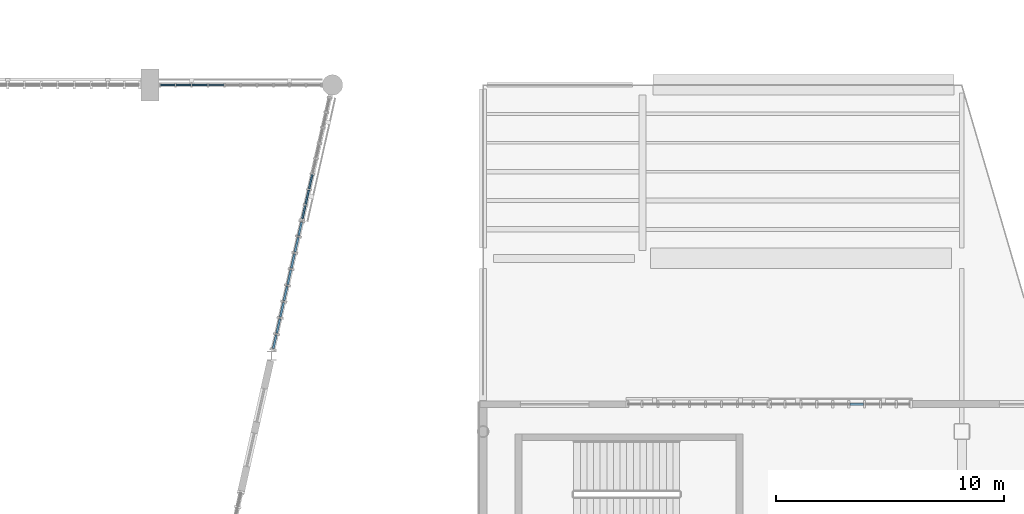
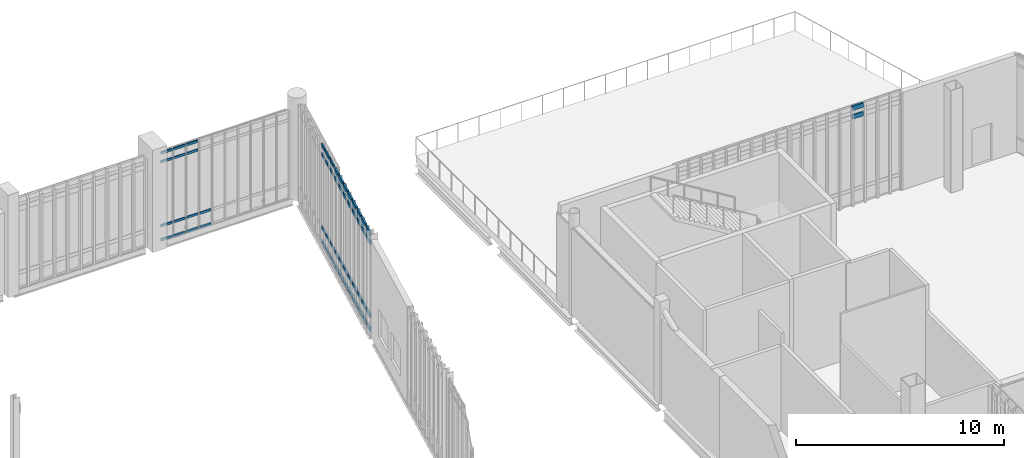
# One storey, part 59 of 135: 60 members, 4 elements without a shape of their own.
"""IFC4 building model written with IfcOpenShell, lengths in metres."""

from ifc_helpers import new_model, si_unit, direction, frame, origin, origin_2d, place, context, subcontext, project, spatial, rectangle, extrude, material, material_profile, profile_set, type_object, element, aggregate, save


model = new_model("IFC4")

# Units and contexts
model_context = context("Model", 3, precision=1e-05, world=origin(), true_north=direction((0.0, 1.0)))
body_context = subcontext(model_context, "Body", "Model", "MODEL_VIEW")
ifc_project = project(units=[si_unit("LENGTHUNIT", "METRE"), si_unit("AREAUNIT", "SQUARE_METRE"), si_unit("VOLUMEUNIT", "CUBIC_METRE"), si_unit("PLANEANGLEUNIT", "RADIAN"), si_unit("MASSUNIT", "GRAM", prefix="KILO")], contexts=[model_context])

# Site, building, storey
site_placement = place(None, origin())
site = spatial("IfcSite", under=ifc_project, at=site_placement, CompositionType="ELEMENT")
building_placement = place(site_placement, origin())
building = spatial("IfcBuilding", under=site, at=building_placement, Name="Larkvane Passage Sports Hall", CompositionType="ELEMENT")
storey_placement = place(building_placement, frame((0.0, 0.0, 10.800048828125)))
storey = spatial("IfcBuildingStorey", under=building, at=storey_placement, Name="L02", CompositionType="ELEMENT", Elevation=10.800048828125)

# Curtain wall, members
ifc_material_1 = material(Name="Thermally broken aluminium and low-E glazing", Category="aluminium")
curtain_wall_type_1 = type_object("IfcCurtainWallType", Name="CW-CLINIC", PredefinedType="USERDEFINED", material=ifc_material_1)
curtain_wall_1_placement = place(storey_placement, origin())
curtain_wall_1 = element("IfcCurtainWall", 1, at=curtain_wall_1_placement, inside=storey, type_object=curtain_wall_type_1, Name="Curtain wall CW5-L02-067", ObjectType="UNITISED CURTAIN WALL", PredefinedType="USERDEFINED")
ifc_material_2 = material(Name="Anodised aluminium 6063-T6", Category="aluminium")
ifc_material_profile_1 = material_profile(ifc_material_2, rectangle(XDim=0.10009765625, YDim=0.260009765625, at=origin_2d()), Name="ALU-TRN-100x260")
ifc_profile_set_1 = profile_set([ifc_material_profile_1], Name="Anodised aluminium 6063-T6")
member_type_1 = type_object("IfcMemberType", Name="CW-TRN-100x260", PredefinedType="USERDEFINED", material=ifc_profile_set_1)
member_1_placement = place(storey_placement, frame((140.68603515625, 85.199951171875, 5.14990234375), z_axis=(1.0, 0.0, 0.0), x_axis=(0.0, 1.0, 0.0)))
member_1 = element("IfcMember", 2, at=member_1_placement, type_object=member_type_1, Name="CW-05 transom 6.3", ObjectType="TRANSOM", PredefinedType="USERDEFINED", context=body_context, shape_type="SweptSolid", body=[
    extrude(rectangle(XDim=0.10009765625, YDim=0.260009765625, at=origin_2d()), origin(), (0.0, 0.0, 1.0), 0.597412109375),
])
member_2_placement = place(storey_placement, frame((140.68603515625, 85.199951171875, 5.64990234375), z_axis=(1.0, 0.0, 0.0), x_axis=(0.0, 1.0, 0.0)))
member_2 = element("IfcMember", 3, at=member_2_placement, type_object=member_type_1, Name="CW-05 transom 6.4", ObjectType="TRANSOM", PredefinedType="USERDEFINED", context=body_context, shape_type="SweptSolid", body=[
    extrude(rectangle(XDim=0.10009765625, YDim=0.260009765625, at=origin_2d()), origin(), (0.0, 0.0, 1.0), 0.597412109375),
])
aggregate(curtain_wall_1, [member_1, member_2])

curtain_wall_type_2 = type_object("IfcCurtainWallType", Name="CW-UNIT-COURT", PredefinedType="USERDEFINED", material=ifc_material_1)
curtain_wall_2_placement = place(storey_placement, origin())
curtain_wall_2 = element("IfcCurtainWall", 4, at=curtain_wall_2_placement, inside=storey, type_object=curtain_wall_type_2, Name="Curtain wall CW5-L02-080", ObjectType="UNITISED CURTAIN WALL", PredefinedType="USERDEFINED")
ifc_material_profile_2 = material_profile(ifc_material_2, rectangle(XDim=0.06494140625, YDim=0.139892578125, at=origin_2d()), Name="ALU-TRN-65x140")
ifc_profile_set_2 = profile_set([ifc_material_profile_2], Name="Anodised aluminium 6063-T6")
member_type_2 = type_object("IfcMemberType", Name="CW-TRN-65x140", PredefinedType="USERDEFINED", material=ifc_profile_set_2)
member_3_placement = place(storey_placement, frame((110.4609375, 99.199951171875, 0.032470703125), z_axis=(1.0, 0.0, 0.0), x_axis=(0.0, 1.0, 0.0)))
member_3 = element("IfcMember", 5, at=member_3_placement, type_object=member_type_2, Name="CW-01 transom 1.1", ObjectType="TRANSOM", PredefinedType="USERDEFINED", context=body_context, shape_type="SweptSolid", body=[
    extrude(rectangle(XDim=0.06494140625, YDim=0.139892578125, at=origin_2d()), origin(), (0.0, 0.0, 1.0), 0.618408203125),
])
member_4_placement = place(storey_placement, frame((110.4609375, 99.199951171875, 0.849853515625), z_axis=(1.0, 0.0, 0.0), x_axis=(0.0, 1.0, 0.0)))
member_4 = element("IfcMember", 6, at=member_4_placement, type_object=member_type_2, Name="CW-01 transom 1.2", ObjectType="TRANSOM", PredefinedType="USERDEFINED", context=body_context, shape_type="SweptSolid", body=[
    extrude(rectangle(XDim=0.06494140625, YDim=0.139892578125, at=origin_2d()), origin(), (0.0, 0.0, 1.0), 0.618408203125),
])
member_5_placement = place(storey_placement, frame((110.4609375, 99.199951171875, 4.597900390625), z_axis=(1.0, 0.0, 0.0), x_axis=(0.0, 1.0, 0.0)))
member_5 = element("IfcMember", 7, at=member_5_placement, type_object=member_type_2, Name="CW-01 transom 1.3", ObjectType="TRANSOM", PredefinedType="USERDEFINED", context=body_context, shape_type="SweptSolid", body=[
    extrude(rectangle(XDim=0.06494140625, YDim=0.139892578125, at=origin_2d()), origin(), (0.0, 0.0, 1.0), 0.618408203125),
])
member_6_placement = place(storey_placement, frame((110.4609375, 99.199951171875, 5.115478515625), z_axis=(1.0, 0.0, 0.0), x_axis=(0.0, 1.0, 0.0)))
member_6 = element("IfcMember", 8, at=member_6_placement, type_object=member_type_2, Name="CW-01 transom 1.4", ObjectType="TRANSOM", PredefinedType="USERDEFINED", context=body_context, shape_type="SweptSolid", body=[
    extrude(rectangle(XDim=0.06494140625, YDim=0.139892578125, at=origin_2d()), origin(), (0.0, 0.0, 1.0), 0.618408203125),
])
member_7_placement = place(storey_placement, frame((111.144287109375, 99.199951171875, 0.032470703125), z_axis=(1.0, 0.0, 0.0), x_axis=(0.0, 1.0, 0.0)))
member_7 = element("IfcMember", 9, at=member_7_placement, type_object=member_type_2, Name="CW-01 transom 2.1", ObjectType="TRANSOM", PredefinedType="USERDEFINED", context=body_context, shape_type="SweptSolid", body=[
    extrude(rectangle(XDim=0.06494140625, YDim=0.139892578125, at=origin_2d()), origin(), (0.0, 0.0, 1.0), 0.65087890625),
])
member_8_placement = place(storey_placement, frame((111.144287109375, 99.199951171875, 0.849853515625), z_axis=(1.0, 0.0, 0.0), x_axis=(0.0, 1.0, 0.0)))
member_8 = element("IfcMember", 10, at=member_8_placement, type_object=member_type_2, Name="CW-01 transom 2.2", ObjectType="TRANSOM", PredefinedType="USERDEFINED", context=body_context, shape_type="SweptSolid", body=[
    extrude(rectangle(XDim=0.06494140625, YDim=0.139892578125, at=origin_2d()), origin(), (0.0, 0.0, 1.0), 0.65087890625),
])
member_9_placement = place(storey_placement, frame((111.144287109375, 99.199951171875, 4.597900390625), z_axis=(1.0, 0.0, 0.0), x_axis=(0.0, 1.0, 0.0)))
member_9 = element("IfcMember", 11, at=member_9_placement, type_object=member_type_2, Name="CW-01 transom 2.3", ObjectType="TRANSOM", PredefinedType="USERDEFINED", context=body_context, shape_type="SweptSolid", body=[
    extrude(rectangle(XDim=0.06494140625, YDim=0.139892578125, at=origin_2d()), origin(), (0.0, 0.0, 1.0), 0.65087890625),
])
member_10_placement = place(storey_placement, frame((111.144287109375, 99.199951171875, 5.115478515625), z_axis=(1.0, 0.0, 0.0), x_axis=(0.0, 1.0, 0.0)))
member_10 = element("IfcMember", 12, at=member_10_placement, type_object=member_type_2, Name="CW-01 transom 2.4", ObjectType="TRANSOM", PredefinedType="USERDEFINED", context=body_context, shape_type="SweptSolid", body=[
    extrude(rectangle(XDim=0.06494140625, YDim=0.139892578125, at=origin_2d()), origin(), (0.0, 0.0, 1.0), 0.65087890625),
])
member_11_placement = place(storey_placement, frame((111.860107421875, 99.199951171875, 0.032470703125), z_axis=(1.0, 0.0, 0.0), x_axis=(0.0, 1.0, 0.0)))
member_11 = element("IfcMember", 13, at=member_11_placement, type_object=member_type_2, Name="CW-01 transom 3.1", ObjectType="TRANSOM", PredefinedType="USERDEFINED", context=body_context, shape_type="SweptSolid", body=[
    extrude(rectangle(XDim=0.06494140625, YDim=0.139892578125, at=origin_2d()), origin(), (0.0, 0.0, 1.0), 0.65087890625),
])
member_12_placement = place(storey_placement, frame((111.860107421875, 99.199951171875, 0.849853515625), z_axis=(1.0, 0.0, 0.0), x_axis=(0.0, 1.0, 0.0)))
member_12 = element("IfcMember", 14, at=member_12_placement, type_object=member_type_2, Name="CW-01 transom 3.2", ObjectType="TRANSOM", PredefinedType="USERDEFINED", context=body_context, shape_type="SweptSolid", body=[
    extrude(rectangle(XDim=0.06494140625, YDim=0.139892578125, at=origin_2d()), origin(), (0.0, 0.0, 1.0), 0.65087890625),
])
member_13_placement = place(storey_placement, frame((111.860107421875, 99.199951171875, 4.597900390625), z_axis=(1.0, 0.0, 0.0), x_axis=(0.0, 1.0, 0.0)))
member_13 = element("IfcMember", 15, at=member_13_placement, type_object=member_type_2, Name="CW-01 transom 3.3", ObjectType="TRANSOM", PredefinedType="USERDEFINED", context=body_context, shape_type="SweptSolid", body=[
    extrude(rectangle(XDim=0.06494140625, YDim=0.139892578125, at=origin_2d()), origin(), (0.0, 0.0, 1.0), 0.65087890625),
])
member_14_placement = place(storey_placement, frame((111.860107421875, 99.199951171875, 5.115478515625), z_axis=(1.0, 0.0, 0.0), x_axis=(0.0, 1.0, 0.0)))
member_14 = element("IfcMember", 16, at=member_14_placement, type_object=member_type_2, Name="CW-01 transom 3.4", ObjectType="TRANSOM", PredefinedType="USERDEFINED", context=body_context, shape_type="SweptSolid", body=[
    extrude(rectangle(XDim=0.06494140625, YDim=0.139892578125, at=origin_2d()), origin(), (0.0, 0.0, 1.0), 0.65087890625),
])
member_15_placement = place(storey_placement, frame((112.575927734375, 99.199951171875, 0.032470703125), z_axis=(1.0, 0.0, 0.0), x_axis=(0.0, 1.0, 0.0)))
member_15 = element("IfcMember", 17, at=member_15_placement, type_object=member_type_2, Name="CW-01 transom 4.1", ObjectType="TRANSOM", PredefinedType="USERDEFINED", context=body_context, shape_type="SweptSolid", body=[
    extrude(rectangle(XDim=0.06494140625, YDim=0.139892578125, at=origin_2d()), origin(), (0.0, 0.0, 1.0), 0.65087890625),
])
member_16_placement = place(storey_placement, frame((112.575927734375, 99.199951171875, 0.849853515625), z_axis=(1.0, 0.0, 0.0), x_axis=(0.0, 1.0, 0.0)))
member_16 = element("IfcMember", 18, at=member_16_placement, type_object=member_type_2, Name="CW-01 transom 4.2", ObjectType="TRANSOM", PredefinedType="USERDEFINED", context=body_context, shape_type="SweptSolid", body=[
    extrude(rectangle(XDim=0.06494140625, YDim=0.139892578125, at=origin_2d()), origin(), (0.0, 0.0, 1.0), 0.65087890625),
])
aggregate(curtain_wall_2, [member_3, member_4, member_5, member_6, member_7, member_8, member_9, member_10, member_11, member_12, member_13, member_14, member_15, member_16])

curtain_wall_type_3 = type_object("IfcCurtainWallType", Name="CW-UNIT-VEIL", PredefinedType="USERDEFINED", material=ifc_material_1)
curtain_wall_3_placement = place(storey_placement, origin())
curtain_wall_3 = element("IfcCurtainWall", 19, at=curtain_wall_3_placement, inside=storey, type_object=curtain_wall_type_3, Name="Curtain wall CW5-L02-081", ObjectType="UNITISED CURTAIN WALL", PredefinedType="USERDEFINED")
ifc_material_profile_3 = material_profile(ifc_material_2, rectangle(XDim=0.074951171875, YDim=0.18505859375, at=origin_2d()), Name="ALU-TRN-75x185")
ifc_profile_set_3 = profile_set([ifc_material_profile_3], Name="Anodised aluminium 6063-T6")
member_type_3 = type_object("IfcMemberType", Name="CW-TRN-75x185", PredefinedType="USERDEFINED", material=ifc_profile_set_3)
member_17_placement = place(storey_placement, frame((117.1142578125, 95.258544921875, 0.037353515625), z_axis=(-0.219437063767, -0.975626657613, 0.0), x_axis=(0.975626657613, -0.219437063767, 0.0)))
member_17 = element("IfcMember", 20, at=member_17_placement, type_object=member_type_3, Name="CW-02 transom 6.1", ObjectType="TRANSOM", PredefinedType="USERDEFINED", context=body_context, shape_type="SweptSolid", body=[
    extrude(rectangle(XDim=0.074951171875, YDim=0.18505859375, at=origin_2d()), origin(), (0.0, 0.0, 1.0), 0.61865234375),
])
member_18_placement = place(storey_placement, frame((117.1142578125, 95.258544921875, 0.849853515625), z_axis=(-0.219437063767, -0.975626657613, 0.0), x_axis=(0.975626657613, -0.219437063767, 0.0)))
member_18 = element("IfcMember", 21, at=member_18_placement, type_object=member_type_3, Name="CW-02 transom 6.2", ObjectType="TRANSOM", PredefinedType="USERDEFINED", context=body_context, shape_type="SweptSolid", body=[
    extrude(rectangle(XDim=0.074951171875, YDim=0.18505859375, at=origin_2d()), origin(), (0.0, 0.0, 1.0), 0.61865234375),
])
member_19_placement = place(storey_placement, frame((117.1142578125, 95.258544921875, 5.14990234375), z_axis=(-0.219437063767, -0.975626657613, 0.0), x_axis=(0.975626657613, -0.219437063767, 0.0)))
member_19 = element("IfcMember", 22, at=member_19_placement, type_object=member_type_3, Name="CW-02 transom 6.3", ObjectType="TRANSOM", PredefinedType="USERDEFINED", context=body_context, shape_type="SweptSolid", body=[
    extrude(rectangle(XDim=0.074951171875, YDim=0.18505859375, at=origin_2d()), origin(), (0.0, 0.0, 1.0), 0.61865234375),
])
member_20_placement = place(storey_placement, frame((117.1142578125, 95.258544921875, 5.662353515625), z_axis=(-0.219437063767, -0.975626657613, 0.0), x_axis=(0.975626657613, -0.219437063767, 0.0)))
member_20 = element("IfcMember", 23, at=member_20_placement, type_object=member_type_3, Name="CW-02 transom 6.4", ObjectType="TRANSOM", PredefinedType="USERDEFINED", context=body_context, shape_type="SweptSolid", body=[
    extrude(rectangle(XDim=0.074951171875, YDim=0.18505859375, at=origin_2d()), origin(), (0.0, 0.0, 1.0), 0.61865234375),
])
member_21_placement = place(storey_placement, frame((116.962158203125, 94.581787109375, 0.037353515625), z_axis=(-0.219352600891, -0.975645651086, 0.0), x_axis=(0.975645651086, -0.219352600891, 0.0)))
member_21 = element("IfcMember", 24, at=member_21_placement, type_object=member_type_3, Name="CW-02 transom 7.1", ObjectType="TRANSOM", PredefinedType="USERDEFINED", context=body_context, shape_type="SweptSolid", body=[
    extrude(rectangle(XDim=0.074951171875, YDim=0.18505859375, at=origin_2d()), origin(), (0.0, 0.0, 1.0), 0.618896484375),
])
member_22_placement = place(storey_placement, frame((116.962158203125, 94.581787109375, 0.849853515625), z_axis=(-0.219352600891, -0.975645651086, 0.0), x_axis=(0.975645651086, -0.219352600891, 0.0)))
member_22 = element("IfcMember", 25, at=member_22_placement, type_object=member_type_3, Name="CW-02 transom 7.2", ObjectType="TRANSOM", PredefinedType="USERDEFINED", context=body_context, shape_type="SweptSolid", body=[
    extrude(rectangle(XDim=0.074951171875, YDim=0.18505859375, at=origin_2d()), origin(), (0.0, 0.0, 1.0), 0.618896484375),
])
member_23_placement = place(storey_placement, frame((116.962158203125, 94.581787109375, 5.14990234375), z_axis=(-0.219352600891, -0.975645651086, 0.0), x_axis=(0.975645651086, -0.219352600891, 0.0)))
member_23 = element("IfcMember", 26, at=member_23_placement, type_object=member_type_3, Name="CW-02 transom 7.3", ObjectType="TRANSOM", PredefinedType="USERDEFINED", context=body_context, shape_type="SweptSolid", body=[
    extrude(rectangle(XDim=0.074951171875, YDim=0.18505859375, at=origin_2d()), origin(), (0.0, 0.0, 1.0), 0.618896484375),
])
member_24_placement = place(storey_placement, frame((116.962158203125, 94.581787109375, 5.662353515625), z_axis=(-0.219352600891, -0.975645651086, 0.0), x_axis=(0.975645651086, -0.219352600891, 0.0)))
member_24 = element("IfcMember", 27, at=member_24_placement, type_object=member_type_3, Name="CW-02 transom 7.4", ObjectType="TRANSOM", PredefinedType="USERDEFINED", context=body_context, shape_type="SweptSolid", body=[
    extrude(rectangle(XDim=0.074951171875, YDim=0.18505859375, at=origin_2d()), origin(), (0.0, 0.0, 1.0), 0.618896484375),
])
member_25_placement = place(storey_placement, frame((116.81005859375, 93.905029296875, 0.037353515625), z_axis=(-0.219242344459, -0.97567043329, 0.0), x_axis=(0.97567043329, -0.219242344459, 0.0)))
member_25 = element("IfcMember", 28, at=member_25_placement, type_object=member_type_3, Name="CW-02 transom 8.1", ObjectType="TRANSOM", PredefinedType="USERDEFINED", context=body_context, shape_type="SweptSolid", body=[
    extrude(rectangle(XDim=0.074951171875, YDim=0.18505859375, at=origin_2d()), origin(), (0.0, 0.0, 1.0), 0.581298828125),
])
member_26_placement = place(storey_placement, frame((116.81005859375, 93.905029296875, 0.849853515625), z_axis=(-0.219242344459, -0.97567043329, 0.0), x_axis=(0.97567043329, -0.219242344459, 0.0)))
member_26 = element("IfcMember", 29, at=member_26_placement, type_object=member_type_3, Name="CW-02 transom 8.2", ObjectType="TRANSOM", PredefinedType="USERDEFINED", context=body_context, shape_type="SweptSolid", body=[
    extrude(rectangle(XDim=0.074951171875, YDim=0.18505859375, at=origin_2d()), origin(), (0.0, 0.0, 1.0), 0.581298828125),
])
member_27_placement = place(storey_placement, frame((116.81005859375, 93.905029296875, 5.14990234375), z_axis=(-0.219242344459, -0.97567043329, 0.0), x_axis=(0.97567043329, -0.219242344459, 0.0)))
member_27 = element("IfcMember", 30, at=member_27_placement, type_object=member_type_3, Name="CW-02 transom 8.3", ObjectType="TRANSOM", PredefinedType="USERDEFINED", context=body_context, shape_type="SweptSolid", body=[
    extrude(rectangle(XDim=0.074951171875, YDim=0.18505859375, at=origin_2d()), origin(), (0.0, 0.0, 1.0), 0.581298828125),
])
member_28_placement = place(storey_placement, frame((116.81005859375, 93.905029296875, 5.662353515625), z_axis=(-0.219242344459, -0.97567043329, 0.0), x_axis=(0.97567043329, -0.219242344459, 0.0)))
member_28 = element("IfcMember", 31, at=member_28_placement, type_object=member_type_3, Name="CW-02 transom 8.4", ObjectType="TRANSOM", PredefinedType="USERDEFINED", context=body_context, shape_type="SweptSolid", body=[
    extrude(rectangle(XDim=0.074951171875, YDim=0.18505859375, at=origin_2d()), origin(), (0.0, 0.0, 1.0), 0.581298828125),
])
aggregate(curtain_wall_3, [member_17, member_18, member_19, member_20, member_21, member_22, member_23, member_24, member_25, member_26, member_27, member_28])

curtain_wall_type_4 = type_object("IfcCurtainWallType", Name="CW-STICK-FOYER", PredefinedType="USERDEFINED", material=ifc_material_1)
curtain_wall_4_placement = place(storey_placement, origin())
curtain_wall_4 = element("IfcCurtainWall", 32, at=curtain_wall_4_placement, inside=storey, type_object=curtain_wall_type_4, Name="Curtain wall CW5-L02-082", ObjectType="STICK CURTAIN WALL", PredefinedType="USERDEFINED")
ifc_material_profile_4 = material_profile(ifc_material_2, rectangle(XDim=0.090087890625, YDim=0.235107421875, at=origin_2d()), Name="ALU-TRN-90x235")
ifc_profile_set_4 = profile_set([ifc_material_profile_4], Name="Anodised aluminium 6063-T6")
member_type_4 = type_object("IfcMemberType", Name="CW-TRN-90x235", PredefinedType="USERDEFINED", material=ifc_profile_set_4)
member_29_placement = place(storey_placement, frame((116.646484375, 93.177001953125, 0.044921875), z_axis=(-0.219141799483, -0.975693021252, 0.0), x_axis=(0.975693021252, -0.219141799483, 0.0)))
member_29 = element("IfcMember", 33, at=member_29_placement, type_object=member_type_4, Name="CW-03 transom 1.1", ObjectType="TRANSOM", PredefinedType="USERDEFINED", context=body_context, shape_type="SweptSolid", body=[
    extrude(rectangle(XDim=0.090087890625, YDim=0.235107421875, at=origin_2d()), origin(), (0.0, 0.0, 1.0), 0.595947265625),
])
member_30_placement = place(storey_placement, frame((116.646484375, 93.177001953125, 0.849853515625), z_axis=(-0.219141799483, -0.975693021252, 0.0), x_axis=(0.975693021252, -0.219141799483, 0.0)))
member_30 = element("IfcMember", 34, at=member_30_placement, type_object=member_type_4, Name="CW-03 transom 1.2", ObjectType="TRANSOM", PredefinedType="USERDEFINED", context=body_context, shape_type="SweptSolid", body=[
    extrude(rectangle(XDim=0.090087890625, YDim=0.235107421875, at=origin_2d()), origin(), (0.0, 0.0, 1.0), 0.595947265625),
])
member_31_placement = place(storey_placement, frame((116.646484375, 93.177001953125, 5.14990234375), z_axis=(-0.219141799483, -0.975693021252, 0.0), x_axis=(0.975693021252, -0.219141799483, 0.0)))
member_31 = element("IfcMember", 35, at=member_31_placement, type_object=member_type_4, Name="CW-03 transom 1.3", ObjectType="TRANSOM", PredefinedType="USERDEFINED", context=body_context, shape_type="SweptSolid", body=[
    extrude(rectangle(XDim=0.090087890625, YDim=0.235107421875, at=origin_2d()), origin(), (0.0, 0.0, 1.0), 0.595947265625),
])
member_32_placement = place(storey_placement, frame((116.646484375, 93.177001953125, 5.655029296875), z_axis=(-0.219141799483, -0.975693021252, 0.0), x_axis=(0.975693021252, -0.219141799483, 0.0)))
member_32 = element("IfcMember", 36, at=member_32_placement, type_object=member_type_4, Name="CW-03 transom 1.4", ObjectType="TRANSOM", PredefinedType="USERDEFINED", context=body_context, shape_type="SweptSolid", body=[
    extrude(rectangle(XDim=0.090087890625, YDim=0.235107421875, at=origin_2d()), origin(), (0.0, 0.0, 1.0), 0.595947265625),
])
member_33_placement = place(storey_placement, frame((116.49609375, 92.507568359375, 0.044921875), z_axis=(-0.21934908298, -0.975646442004, 0.0), x_axis=(0.975646442004, -0.21934908298, 0.0)))
member_33 = element("IfcMember", 37, at=member_33_placement, type_object=member_type_4, Name="CW-03 transom 2.1", ObjectType="TRANSOM", PredefinedType="USERDEFINED", context=body_context, shape_type="SweptSolid", body=[
    extrude(rectangle(XDim=0.090087890625, YDim=0.235107421875, at=origin_2d()), origin(), (0.0, 0.0, 1.0), 0.64111328125),
])
member_34_placement = place(storey_placement, frame((116.49609375, 92.507568359375, 0.849853515625), z_axis=(-0.21934908298, -0.975646442004, 0.0), x_axis=(0.975646442004, -0.21934908298, 0.0)))
member_34 = element("IfcMember", 38, at=member_34_placement, type_object=member_type_4, Name="CW-03 transom 2.2", ObjectType="TRANSOM", PredefinedType="USERDEFINED", context=body_context, shape_type="SweptSolid", body=[
    extrude(rectangle(XDim=0.090087890625, YDim=0.235107421875, at=origin_2d()), origin(), (0.0, 0.0, 1.0), 0.64111328125),
])
member_35_placement = place(storey_placement, frame((116.49609375, 92.507568359375, 5.14990234375), z_axis=(-0.21934908298, -0.975646442004, 0.0), x_axis=(0.975646442004, -0.21934908298, 0.0)))
member_35 = element("IfcMember", 39, at=member_35_placement, type_object=member_type_4, Name="CW-03 transom 2.3", ObjectType="TRANSOM", PredefinedType="USERDEFINED", context=body_context, shape_type="SweptSolid", body=[
    extrude(rectangle(XDim=0.090087890625, YDim=0.235107421875, at=origin_2d()), origin(), (0.0, 0.0, 1.0), 0.64111328125),
])
member_36_placement = place(storey_placement, frame((116.49609375, 92.507568359375, 5.655029296875), z_axis=(-0.21934908298, -0.975646442004, 0.0), x_axis=(0.975646442004, -0.21934908298, 0.0)))
member_36 = element("IfcMember", 40, at=member_36_placement, type_object=member_type_4, Name="CW-03 transom 2.4", ObjectType="TRANSOM", PredefinedType="USERDEFINED", context=body_context, shape_type="SweptSolid", body=[
    extrude(rectangle(XDim=0.090087890625, YDim=0.235107421875, at=origin_2d()), origin(), (0.0, 0.0, 1.0), 0.64111328125),
])
member_37_placement = place(storey_placement, frame((116.335693359375, 91.794189453125, 0.044921875), z_axis=(-0.219067951087, -0.975709604753, 0.0), x_axis=(0.975709604753, -0.219067951087, 0.0)))
member_37 = element("IfcMember", 41, at=member_37_placement, type_object=member_type_4, Name="CW-03 transom 3.1", ObjectType="TRANSOM", PredefinedType="USERDEFINED", context=body_context, shape_type="SweptSolid", body=[
    extrude(rectangle(XDim=0.090087890625, YDim=0.235107421875, at=origin_2d()), origin(), (0.0, 0.0, 1.0), 0.640869140625),
])
member_38_placement = place(storey_placement, frame((116.335693359375, 91.794189453125, 0.849853515625), z_axis=(-0.219067951087, -0.975709604753, 0.0), x_axis=(0.975709604753, -0.219067951087, 0.0)))
member_38 = element("IfcMember", 42, at=member_38_placement, type_object=member_type_4, Name="CW-03 transom 3.2", ObjectType="TRANSOM", PredefinedType="USERDEFINED", context=body_context, shape_type="SweptSolid", body=[
    extrude(rectangle(XDim=0.090087890625, YDim=0.235107421875, at=origin_2d()), origin(), (0.0, 0.0, 1.0), 0.640869140625),
])
member_39_placement = place(storey_placement, frame((116.335693359375, 91.794189453125, 5.14990234375), z_axis=(-0.219067951087, -0.975709604753, 0.0), x_axis=(0.975709604753, -0.219067951087, 0.0)))
member_39 = element("IfcMember", 43, at=member_39_placement, type_object=member_type_4, Name="CW-03 transom 3.3", ObjectType="TRANSOM", PredefinedType="USERDEFINED", context=body_context, shape_type="SweptSolid", body=[
    extrude(rectangle(XDim=0.090087890625, YDim=0.235107421875, at=origin_2d()), origin(), (0.0, 0.0, 1.0), 0.640869140625),
])
member_40_placement = place(storey_placement, frame((116.335693359375, 91.794189453125, 5.655029296875), z_axis=(-0.219067951087, -0.975709604753, 0.0), x_axis=(0.975709604753, -0.219067951087, 0.0)))
member_40 = element("IfcMember", 44, at=member_40_placement, type_object=member_type_4, Name="CW-03 transom 3.4", ObjectType="TRANSOM", PredefinedType="USERDEFINED", context=body_context, shape_type="SweptSolid", body=[
    extrude(rectangle(XDim=0.090087890625, YDim=0.235107421875, at=origin_2d()), origin(), (0.0, 0.0, 1.0), 0.640869140625),
])
member_41_placement = place(storey_placement, frame((116.175537109375, 91.0810546875, 0.044921875), z_axis=(-0.21934908298, -0.975646442004, 0.0), x_axis=(0.975646442004, -0.21934908298, 0.0)))
member_41 = element("IfcMember", 45, at=member_41_placement, type_object=member_type_4, Name="CW-03 transom 4.1", ObjectType="TRANSOM", PredefinedType="USERDEFINED", context=body_context, shape_type="SweptSolid", body=[
    extrude(rectangle(XDim=0.090087890625, YDim=0.235107421875, at=origin_2d()), origin(), (0.0, 0.0, 1.0), 0.64111328125),
])
member_42_placement = place(storey_placement, frame((116.175537109375, 91.0810546875, 0.849853515625), z_axis=(-0.21934908298, -0.975646442004, 0.0), x_axis=(0.975646442004, -0.21934908298, 0.0)))
member_42 = element("IfcMember", 46, at=member_42_placement, type_object=member_type_4, Name="CW-03 transom 4.2", ObjectType="TRANSOM", PredefinedType="USERDEFINED", context=body_context, shape_type="SweptSolid", body=[
    extrude(rectangle(XDim=0.090087890625, YDim=0.235107421875, at=origin_2d()), origin(), (0.0, 0.0, 1.0), 0.64111328125),
])
member_43_placement = place(storey_placement, frame((116.175537109375, 91.0810546875, 5.14990234375), z_axis=(-0.21934908298, -0.975646442004, 0.0), x_axis=(0.975646442004, -0.21934908298, 0.0)))
member_43 = element("IfcMember", 47, at=member_43_placement, type_object=member_type_4, Name="CW-03 transom 4.3", ObjectType="TRANSOM", PredefinedType="USERDEFINED", context=body_context, shape_type="SweptSolid", body=[
    extrude(rectangle(XDim=0.090087890625, YDim=0.235107421875, at=origin_2d()), origin(), (0.0, 0.0, 1.0), 0.64111328125),
])
member_44_placement = place(storey_placement, frame((116.175537109375, 91.0810546875, 5.655029296875), z_axis=(-0.21934908298, -0.975646442004, 0.0), x_axis=(0.975646442004, -0.21934908298, 0.0)))
member_44 = element("IfcMember", 48, at=member_44_placement, type_object=member_type_4, Name="CW-03 transom 4.4", ObjectType="TRANSOM", PredefinedType="USERDEFINED", context=body_context, shape_type="SweptSolid", body=[
    extrude(rectangle(XDim=0.090087890625, YDim=0.235107421875, at=origin_2d()), origin(), (0.0, 0.0, 1.0), 0.64111328125),
])
member_45_placement = place(storey_placement, frame((116.01513671875, 90.36767578125, 0.044921875), z_axis=(-0.219067951087, -0.975709604753, 0.0), x_axis=(0.975709604753, -0.219067951087, 0.0)))
member_45 = element("IfcMember", 49, at=member_45_placement, type_object=member_type_4, Name="CW-03 transom 5.1", ObjectType="TRANSOM", PredefinedType="USERDEFINED", context=body_context, shape_type="SweptSolid", body=[
    extrude(rectangle(XDim=0.090087890625, YDim=0.235107421875, at=origin_2d()), origin(), (0.0, 0.0, 1.0), 0.640869140625),
])
member_46_placement = place(storey_placement, frame((116.01513671875, 90.36767578125, 0.849853515625), z_axis=(-0.219067951087, -0.975709604753, 0.0), x_axis=(0.975709604753, -0.219067951087, 0.0)))
member_46 = element("IfcMember", 50, at=member_46_placement, type_object=member_type_4, Name="CW-03 transom 5.2", ObjectType="TRANSOM", PredefinedType="USERDEFINED", context=body_context, shape_type="SweptSolid", body=[
    extrude(rectangle(XDim=0.090087890625, YDim=0.235107421875, at=origin_2d()), origin(), (0.0, 0.0, 1.0), 0.640869140625),
])
member_47_placement = place(storey_placement, frame((116.01513671875, 90.36767578125, 5.14990234375), z_axis=(-0.219067951087, -0.975709604753, 0.0), x_axis=(0.975709604753, -0.219067951087, 0.0)))
member_47 = element("IfcMember", 51, at=member_47_placement, type_object=member_type_4, Name="CW-03 transom 5.3", ObjectType="TRANSOM", PredefinedType="USERDEFINED", context=body_context, shape_type="SweptSolid", body=[
    extrude(rectangle(XDim=0.090087890625, YDim=0.235107421875, at=origin_2d()), origin(), (0.0, 0.0, 1.0), 0.640869140625),
])
member_48_placement = place(storey_placement, frame((116.01513671875, 90.36767578125, 5.655029296875), z_axis=(-0.219067951087, -0.975709604753, 0.0), x_axis=(0.975709604753, -0.219067951087, 0.0)))
member_48 = element("IfcMember", 52, at=member_48_placement, type_object=member_type_4, Name="CW-03 transom 5.4", ObjectType="TRANSOM", PredefinedType="USERDEFINED", context=body_context, shape_type="SweptSolid", body=[
    extrude(rectangle(XDim=0.090087890625, YDim=0.235107421875, at=origin_2d()), origin(), (0.0, 0.0, 1.0), 0.640869140625),
])
member_49_placement = place(storey_placement, frame((115.85498046875, 89.654541015625, 0.044921875), z_axis=(-0.21934908298, -0.975646442004, 0.0), x_axis=(0.975646442004, -0.21934908298, 0.0)))
member_49 = element("IfcMember", 53, at=member_49_placement, type_object=member_type_4, Name="CW-03 transom 6.1", ObjectType="TRANSOM", PredefinedType="USERDEFINED", context=body_context, shape_type="SweptSolid", body=[
    extrude(rectangle(XDim=0.090087890625, YDim=0.235107421875, at=origin_2d()), origin(), (0.0, 0.0, 1.0), 0.64111328125),
])
member_50_placement = place(storey_placement, frame((115.85498046875, 89.654541015625, 0.849853515625), z_axis=(-0.21934908298, -0.975646442004, 0.0), x_axis=(0.975646442004, -0.21934908298, 0.0)))
member_50 = element("IfcMember", 54, at=member_50_placement, type_object=member_type_4, Name="CW-03 transom 6.2", ObjectType="TRANSOM", PredefinedType="USERDEFINED", context=body_context, shape_type="SweptSolid", body=[
    extrude(rectangle(XDim=0.090087890625, YDim=0.235107421875, at=origin_2d()), origin(), (0.0, 0.0, 1.0), 0.64111328125),
])
member_51_placement = place(storey_placement, frame((115.85498046875, 89.654541015625, 5.14990234375), z_axis=(-0.21934908298, -0.975646442004, 0.0), x_axis=(0.975646442004, -0.21934908298, 0.0)))
member_51 = element("IfcMember", 55, at=member_51_placement, type_object=member_type_4, Name="CW-03 transom 6.3", ObjectType="TRANSOM", PredefinedType="USERDEFINED", context=body_context, shape_type="SweptSolid", body=[
    extrude(rectangle(XDim=0.090087890625, YDim=0.235107421875, at=origin_2d()), origin(), (0.0, 0.0, 1.0), 0.64111328125),
])
member_52_placement = place(storey_placement, frame((115.85498046875, 89.654541015625, 5.655029296875), z_axis=(-0.21934908298, -0.975646442004, 0.0), x_axis=(0.975646442004, -0.21934908298, 0.0)))
member_52 = element("IfcMember", 56, at=member_52_placement, type_object=member_type_4, Name="CW-03 transom 6.4", ObjectType="TRANSOM", PredefinedType="USERDEFINED", context=body_context, shape_type="SweptSolid", body=[
    extrude(rectangle(XDim=0.090087890625, YDim=0.235107421875, at=origin_2d()), origin(), (0.0, 0.0, 1.0), 0.64111328125),
])
member_53_placement = place(storey_placement, frame((115.694580078125, 88.94140625, 0.044921875), z_axis=(-0.218986545711, -0.975727878457, 0.0), x_axis=(0.975727878457, -0.218986545711, 0.0)))
member_53 = element("IfcMember", 57, at=member_53_placement, type_object=member_type_4, Name="CW-03 transom 7.1", ObjectType="TRANSOM", PredefinedType="USERDEFINED", context=body_context, shape_type="SweptSolid", body=[
    extrude(rectangle(XDim=0.090087890625, YDim=0.235107421875, at=origin_2d()), origin(), (0.0, 0.0, 1.0), 0.64111328125),
])
member_54_placement = place(storey_placement, frame((115.694580078125, 88.94140625, 0.849853515625), z_axis=(-0.218986545711, -0.975727878457, 0.0), x_axis=(0.975727878457, -0.218986545711, 0.0)))
member_54 = element("IfcMember", 58, at=member_54_placement, type_object=member_type_4, Name="CW-03 transom 7.2", ObjectType="TRANSOM", PredefinedType="USERDEFINED", context=body_context, shape_type="SweptSolid", body=[
    extrude(rectangle(XDim=0.090087890625, YDim=0.235107421875, at=origin_2d()), origin(), (0.0, 0.0, 1.0), 0.64111328125),
])
member_55_placement = place(storey_placement, frame((115.694580078125, 88.94140625, 5.14990234375), z_axis=(-0.218986545711, -0.975727878457, 0.0), x_axis=(0.975727878457, -0.218986545711, 0.0)))
member_55 = element("IfcMember", 59, at=member_55_placement, type_object=member_type_4, Name="CW-03 transom 7.3", ObjectType="TRANSOM", PredefinedType="USERDEFINED", context=body_context, shape_type="SweptSolid", body=[
    extrude(rectangle(XDim=0.090087890625, YDim=0.235107421875, at=origin_2d()), origin(), (0.0, 0.0, 1.0), 0.64111328125),
])
member_56_placement = place(storey_placement, frame((115.694580078125, 88.94140625, 5.655029296875), z_axis=(-0.218986545711, -0.975727878457, 0.0), x_axis=(0.975727878457, -0.218986545711, 0.0)))
member_56 = element("IfcMember", 60, at=member_56_placement, type_object=member_type_4, Name="CW-03 transom 7.4", ObjectType="TRANSOM", PredefinedType="USERDEFINED", context=body_context, shape_type="SweptSolid", body=[
    extrude(rectangle(XDim=0.090087890625, YDim=0.235107421875, at=origin_2d()), origin(), (0.0, 0.0, 1.0), 0.64111328125),
])
member_57_placement = place(storey_placement, frame((115.534423828125, 88.22802734375, 0.044921875), z_axis=(-0.219141799483, -0.975693021252, 0.0), x_axis=(0.975693021252, -0.219141799483, 0.0)))
member_57 = element("IfcMember", 61, at=member_57_placement, type_object=member_type_4, Name="CW-03 transom 8.1", ObjectType="TRANSOM", PredefinedType="USERDEFINED", context=body_context, shape_type="SweptSolid", body=[
    extrude(rectangle(XDim=0.090087890625, YDim=0.235107421875, at=origin_2d()), origin(), (0.0, 0.0, 1.0), 0.595947265625),
])
member_58_placement = place(storey_placement, frame((115.534423828125, 88.22802734375, 0.849853515625), z_axis=(-0.219141799483, -0.975693021252, 0.0), x_axis=(0.975693021252, -0.219141799483, 0.0)))
member_58 = element("IfcMember", 62, at=member_58_placement, type_object=member_type_4, Name="CW-03 transom 8.2", ObjectType="TRANSOM", PredefinedType="USERDEFINED", context=body_context, shape_type="SweptSolid", body=[
    extrude(rectangle(XDim=0.090087890625, YDim=0.235107421875, at=origin_2d()), origin(), (0.0, 0.0, 1.0), 0.595947265625),
])
member_59_placement = place(storey_placement, frame((115.534423828125, 88.22802734375, 5.14990234375), z_axis=(-0.219141799483, -0.975693021252, 0.0), x_axis=(0.975693021252, -0.219141799483, 0.0)))
member_59 = element("IfcMember", 63, at=member_59_placement, type_object=member_type_4, Name="CW-03 transom 8.3", ObjectType="TRANSOM", PredefinedType="USERDEFINED", context=body_context, shape_type="SweptSolid", body=[
    extrude(rectangle(XDim=0.090087890625, YDim=0.235107421875, at=origin_2d()), origin(), (0.0, 0.0, 1.0), 0.595947265625),
])
member_60_placement = place(storey_placement, frame((115.534423828125, 88.22802734375, 5.655029296875), z_axis=(-0.219141799483, -0.975693021252, 0.0), x_axis=(0.975693021252, -0.219141799483, 0.0)))
member_60 = element("IfcMember", 64, at=member_60_placement, type_object=member_type_4, Name="CW-03 transom 8.4", ObjectType="TRANSOM", PredefinedType="USERDEFINED", context=body_context, shape_type="SweptSolid", body=[
    extrude(rectangle(XDim=0.090087890625, YDim=0.235107421875, at=origin_2d()), origin(), (0.0, 0.0, 1.0), 0.595947265625),
])
aggregate(curtain_wall_4, [member_29, member_30, member_31, member_32, member_33, member_34, member_35, member_36, member_37, member_38, member_39, member_40, member_41, member_42, member_43, member_44, member_45, member_46, member_47, member_48, member_49, member_50, member_51, member_52, member_53, member_54, member_55, member_56, member_57, member_58, member_59, member_60])

save(model, "model.ifc")
